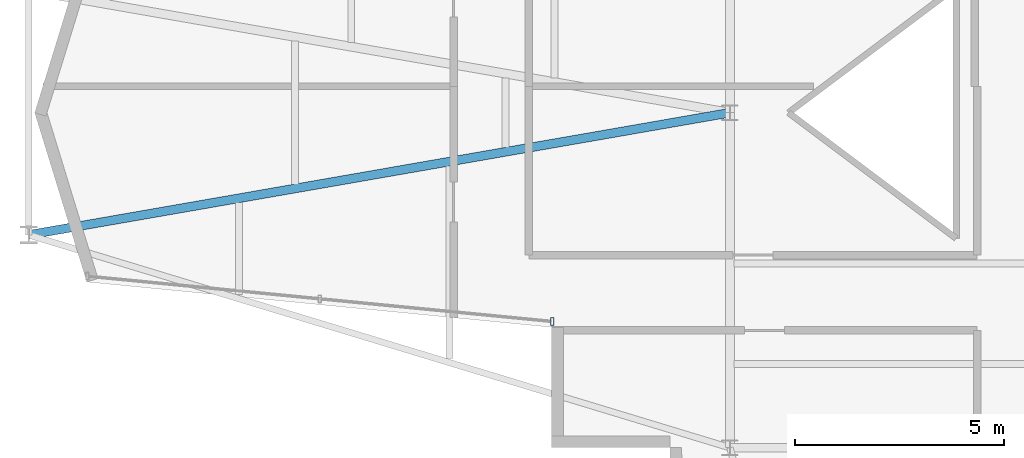
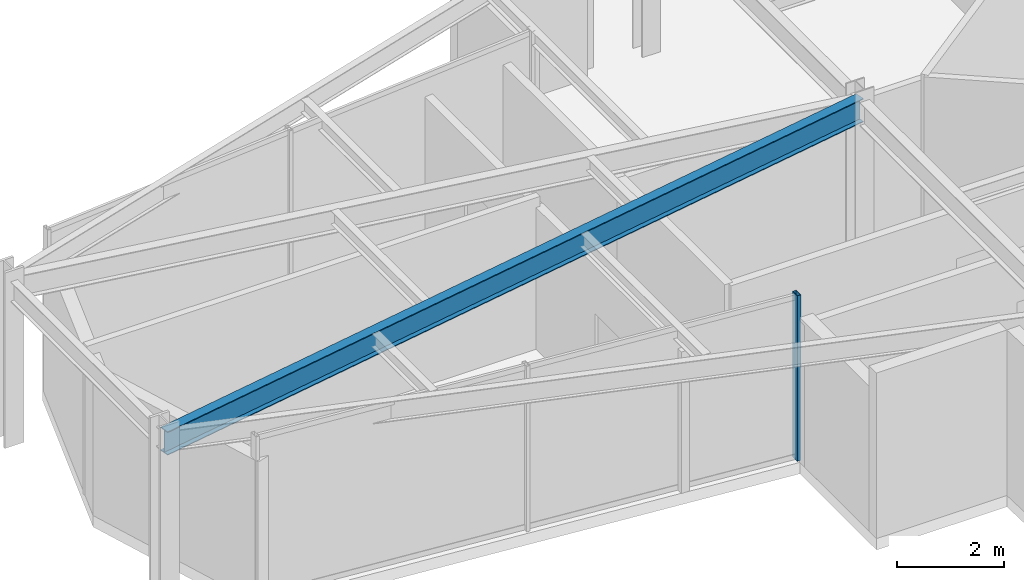
# One storey, part 4 of 21: 1 beam, 1 member, 1 element without a shape of its own.
"""IFC4 building model written with IfcOpenShell, lengths in metres."""

from ifc_helpers import new_model, si_unit, direction, frame, origin, origin_2d, place, context, subcontext, project, spatial, hollow_rectangle, i_section, extrude, material, layer, layer_set, material_profile, profile_set, type_object, element, aggregate, save


model = new_model("IFC4")

# Units and contexts
model_context = context("Model", 3, precision=1e-05, world=origin(), true_north=direction((0.0, 1.0)))
body_context = subcontext(model_context, "Body", "Model", "MODEL_VIEW")
ifc_project = project(units=[si_unit("LENGTHUNIT", "METRE"), si_unit("AREAUNIT", "SQUARE_METRE"), si_unit("VOLUMEUNIT", "CUBIC_METRE"), si_unit("PLANEANGLEUNIT", "RADIAN"), si_unit("MASSUNIT", "GRAM", prefix="KILO")], contexts=[model_context])

# Site, building, storey
site_placement = place(None, origin())
site = spatial("IfcSite", under=ifc_project, at=site_placement, CompositionType="ELEMENT")
building_placement = place(site_placement, origin())
building = spatial("IfcBuilding", under=site, at=building_placement, Name="Veymaron Broadcast Tower", CompositionType="ELEMENT")
storey_placement = place(building_placement, frame((0.0, 0.0, 244.5)))
storey = spatial("IfcBuildingStorey", under=building, at=storey_placement, Name="L57", CompositionType="ELEMENT", Elevation=244.5)

# Beam
ifc_material_1 = material(Name="Structural steel ASTM A992 Gr 50", Category="steel")
ifc_material_profile_1 = material_profile(ifc_material_1, i_section(OverallWidth=0.2099609375, OverallDepth=0.537109375, WebThickness=0.010986328125, FlangeThickness=0.017333984375, at=origin_2d()), Name="W530X101")
ifc_profile_set_1 = profile_set([ifc_material_profile_1], Name="Structural steel ASTM A992 Gr 50")
beam_type = type_object("IfcBeamType", Name="BM-FG3", PredefinedType="BEAM", material=ifc_profile_set_1)
beam_placement = place(storey_placement, frame((14.45166015625, 21.08203125, 3.521484375), z_axis=(0.985159853001, 0.171639342911, 0.0), x_axis=(-0.171639342911, 0.985159853001, 0.0)))
element("IfcBeam", 1, at=beam_placement, inside=storey, type_object=beam_type, Name="L57 primary structural floor girder", PredefinedType="BEAM", context=body_context, shape_type="SweptSolid", body=[
    extrude(i_section(OverallWidth=0.2099609375, OverallDepth=0.537109375, WebThickness=0.010986328125, FlangeThickness=0.017333984375, at=origin_2d()), origin(), (0.0, 0.0, 1.0), 17.00048828125),
])

# Curtain wall, member
ifc_material_2 = material(Name="Anodised aluminium AA 6063-T6 and laminated low-E dark glass", Category="aluminium")
ifc_layer = layer(ifc_material_2, 0.179931640625)
ifc_layer_set = layer_set([ifc_layer], Name="Anodised aluminium AA 6063-T6 and laminated low-E dark glass")
curtain_wall_type = type_object("IfcCurtainWallType", Name="CW-SYS-05", PredefinedType="NOTDEFINED", material=ifc_layer_set)
curtain_wall_placement = place(storey_placement, origin())
curtain_wall = element("IfcCurtainWall", 2, at=curtain_wall_placement, inside=storey, type_object=curtain_wall_type, Name="L57 dark-glass curtain wall CW-L57-E14-1", PredefinedType="NOTDEFINED")
ifc_material_3 = material(Name="Anodised aluminium AA 6063-T6", Category="aluminium")
ifc_material_profile_2 = material_profile(ifc_material_3, hollow_rectangle(XDim=0.074951171875, YDim=0.179931640625, WallThickness=0.0048828125, at=origin_2d()), Name="AL180X75X5")
ifc_profile_set_2 = profile_set([ifc_material_profile_2], Name="Anodised aluminium AA 6063-T6")
member_type = type_object("IfcMemberType", Name="CW-MUL-02", PredefinedType="MULLION", material=ifc_profile_set_2)
member_placement = place(storey_placement, frame((26.9560546875, 19.015625, 0.0), z_axis=(0.0, 0.0, 1.0), x_axis=(1.0, 0.0, 0.0)))
member = element("IfcMember", 3, at=member_placement, type_object=member_type, Name="CW-L57-E14-1 mullion 2", PredefinedType="MULLION", context=body_context, shape_type="SweptSolid", body=[
    extrude(hollow_rectangle(XDim=0.074951171875, YDim=0.179931640625, WallThickness=0.0048828125, at=origin_2d()), origin(), (0.0, 0.0, 1.0), 3.7900390625),
])
aggregate(curtain_wall, [member])

save(model, "model.ifc")
